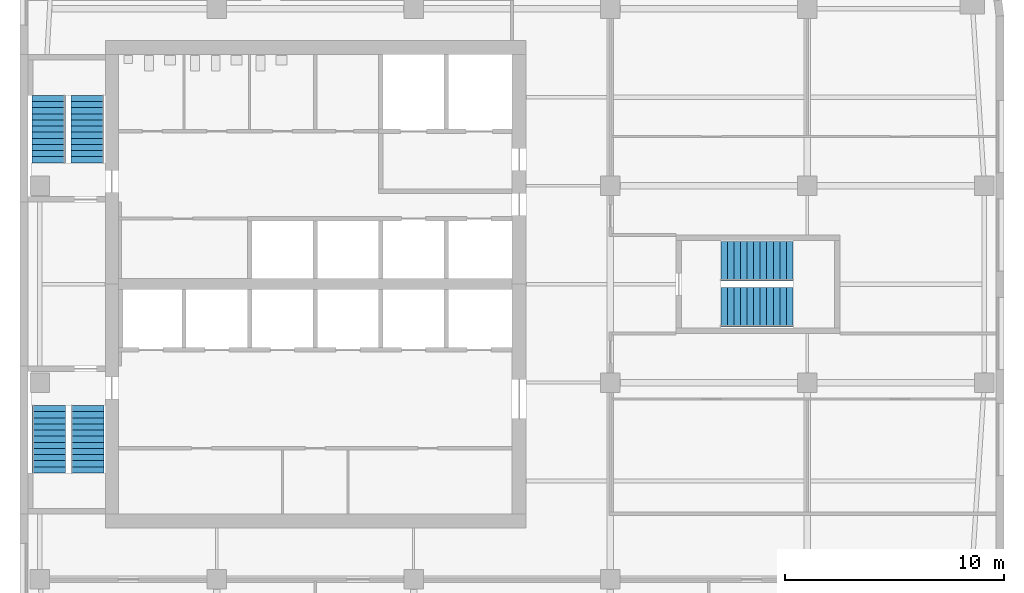
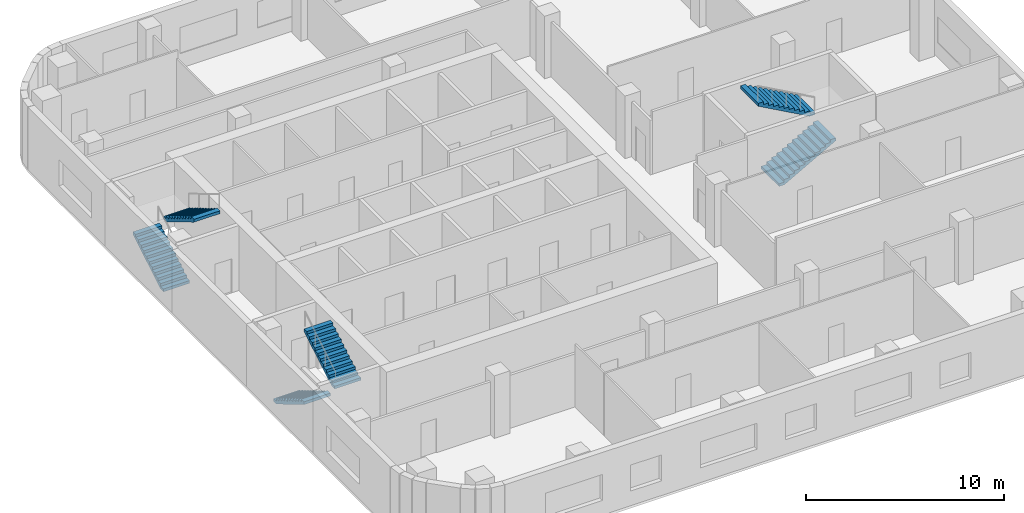
# One storey, part 6 of 8: 6 stair flights, 3 elements without a shape of their own.
"""IFC4 building model written with IfcOpenShell, lengths in metres."""

import ifcopenshell
import ifcopenshell.guid

model = None  # the IFC model being written
_history = None  # IfcOwnerHistory: only IFC2X3 demands one
_inside = {}  # id of a spatial element -> (the spatial element, [elements in it])
_under = {}  # id of a project, library or spatial element -> (it, [spatial elements below it])
_declared = {}  # id of a project -> (the project, [libraries it declares])
_typed = {}  # id of a type object -> (the type object, [elements of that type])
_made_of = {}  # id of a material, layer set ... -> (it, [elements and type objects made of it])


def new_model(schema):
    """Start an empty IFC model of exactly this schema.

    Asked for "IFC4X3", IfcOpenShell would pick the latest addendum, in which some entities
    have other attributes; the version numbers below select the first issue.
    IFC2X3 requires an IfcOwnerHistory on every rooted entity: one is made here for all.
    """
    global model, _history
    if schema == "IFC4X3":
        model = ifcopenshell.file(schema_version=(4, 3, 0, 0))
    else:
        model = ifcopenshell.file(schema=schema)
    _inside.clear()
    _under.clear()
    _declared.clear()
    _typed.clear()
    _made_of.clear()
    _history = None
    if model.schema == "IFC2X3":
        org = make("IfcOrganization", Name="unknown")
        user = make(
            "IfcPersonAndOrganization",
            ThePerson=make("IfcPerson", FamilyName="unknown"),
            TheOrganization=org,
        )
        app = make(
            "IfcApplication",
            ApplicationDeveloper=org,
            Version="unknown",
            ApplicationFullName="unknown",
            ApplicationIdentifier="unknown",
        )
        _history = make(
            "IfcOwnerHistory",
            OwningUser=user,
            OwningApplication=app,
            ChangeAction="ADDED",
            CreationDate=0,
        )
    return model


def make(cls, **values):
    """One entity of the class cls with the attributes given. An attribute that is None is left unset."""
    return model.create_entity(
        cls, **{name: value for name, value in values.items() if value is not None}
    )


def rooted(cls, **values):
    """An entity with a GlobalId (a new one), such as an element, a storey or a relation."""
    return make(cls, GlobalId=ifcopenshell.guid.new(), OwnerHistory=_history, **values)


def si_unit(unit_type, name, prefix=None):
    """IfcSIUnit, for example si_unit("LENGTHUNIT", "METRE", prefix="MILLI")."""
    return make("IfcSIUnit", UnitType=unit_type, Prefix=prefix, Name=name)


def assignment(units):
    """IfcUnitAssignment: the units of a project."""
    return None if units is None else make("IfcUnitAssignment", Units=units)


def point(xyz):
    """IfcCartesianPoint."""
    return None if xyz is None else make("IfcCartesianPoint", Coordinates=xyz)


def direction(xyz):
    """IfcDirection."""
    return None if xyz is None else make("IfcDirection", DirectionRatios=xyz)


def frame(location, z_axis=None, x_axis=None):
    """IfcAxis2Placement3D, a coordinate frame: its origin and axes. An axis left out is left unset."""
    return make(
        "IfcAxis2Placement3D",
        Location=point(location),
        Axis=direction(z_axis),
        RefDirection=direction(x_axis),
    )


def origin():
    """The frame at (0, 0, 0) with its axes left unset."""
    return frame((0.0, 0.0, 0.0))


def place(relative_to, where):
    """IfcLocalPlacement: puts the frame where relative to a parent placement (None: the world)."""
    return make(
        "IfcLocalPlacement", PlacementRelTo=relative_to, RelativePlacement=where
    )


def context(
    kind, dimensions, precision=None, world=None, true_north=None, identifier=None
):
    """IfcGeometricRepresentationContext, for example the 3D "Model" context."""
    return make(
        "IfcGeometricRepresentationContext",
        ContextIdentifier=identifier,
        ContextType=kind,
        CoordinateSpaceDimension=dimensions,
        Precision=precision,
        WorldCoordinateSystem=world,
        TrueNorth=true_north,
    )


def subcontext(parent, identifier, kind, view, scale=None):
    """IfcGeometricRepresentationSubContext, for example "Body" below "Model"."""
    return make(
        "IfcGeometricRepresentationSubContext",
        ContextIdentifier=identifier,
        ContextType=kind,
        ParentContext=parent,
        TargetScale=scale,
        TargetView=view,
    )


def project(units=None, contexts=None):
    """IfcProject with its units and contexts."""
    return rooted(
        "IfcProject",
        Name="project",
        RepresentationContexts=contexts,
        UnitsInContext=assignment(units),
    )


def spatial(cls, under=None, at=None, **own):
    """A site, building, storey or space (cls), placed at a placement, below another one or the project."""
    s = rooted(cls, ObjectPlacement=at, **own)
    if under is not None:
        _under.setdefault(under.id(), (under, []))[1].append(s)
    return s


def polyline(points):
    """IfcPolyline through the points."""
    return make("IfcPolyline", Points=[point(p) for p in points])


def outline(outer, holes=None, kind="AREA"):
    """IfcArbitraryClosedProfileDef: a profile drawn as a closed curve; with holes, ...WithVoids."""
    if holes is None:
        return make("IfcArbitraryClosedProfileDef", ProfileType=kind, OuterCurve=outer)
    return make(
        "IfcArbitraryProfileDefWithVoids",
        ProfileType=kind,
        OuterCurve=outer,
        InnerCurves=holes,
    )


def extrude(swept, where, along, depth):
    """IfcExtrudedAreaSolid: the profile swept, set in the frame where, extruded along a direction by depth."""
    return make(
        "IfcExtrudedAreaSolid",
        SweptArea=swept,
        Position=where,
        ExtrudedDirection=direction(along),
        Depth=depth,
    )


def shape(context_of_items, identifier, shape_type, items):
    """IfcShapeRepresentation: the items that make up one representation, for example the "Body"."""
    return make(
        "IfcShapeRepresentation",
        ContextOfItems=context_of_items,
        RepresentationIdentifier=identifier,
        RepresentationType=shape_type,
        Items=items,
    )


def material(Name=None, Category=None):
    """IfcMaterial."""
    return make("IfcMaterial", Name=Name, Category=Category)


def made_of(thing, what):
    """Note that an element or type object is made of a material, layer set ...; save() writes the relation."""
    if what is not None:
        _made_of.setdefault(what.id(), (what, []))[1].append(thing)
    return thing


def type_object(cls, material=None, **own):
    """A type object (cls), such as IfcWallType, which elements share."""
    return made_of(rooted(cls, **own), material)


def element(
    cls,
    number,
    at=None,
    inside=None,
    cuts=None,
    type_object=None,
    material=None,
    context=None,
    identifier="Body",
    shape_type=None,
    held_by="IfcProductDefinitionShape",
    body=None,
    shapes=None,
    **own,
):
    """One element of the class cls, such as IfcWall. Its Tag is "e" and its number.

    at: its placement. inside: the storey or other place that contains it. cuts: it is an
    opening in that element (IfcRelVoidsElement). A single representation is given by context,
    identifier, shape_type and body (its items); several are given by shapes. held_by: the class
    of the entity that holds the representations. save() writes the other relations.
    """
    e = rooted(cls, Tag="e%d" % number, ObjectPlacement=at, **own)
    if body is not None:
        shapes = [shape(context, identifier, shape_type, body)]
    if shapes is not None:
        e.Representation = make(held_by, Representations=shapes)
    if inside is not None:
        _inside.setdefault(inside.id(), (inside, []))[1].append(e)
    if cuts is not None:
        rooted(
            "IfcRelVoidsElement", RelatingBuildingElement=cuts, RelatedOpeningElement=e
        )
    if type_object is not None:
        _typed.setdefault(type_object.id(), (type_object, []))[1].append(e)
    return made_of(e, material)


def aggregate(whole, parts):
    """IfcRelAggregates: a whole, such as a stair, and the parts it consists of."""
    return rooted("IfcRelAggregates", RelatingObject=whole, RelatedObjects=parts)


def save(model, path):
    """Write the relations noted so far, then the file.

    IfcRelAggregates (storeys below a building ...), IfcRelContainedInSpatialStructure (elements
    in a storey), IfcRelDefinesByType, IfcRelAssociatesMaterial and IfcRelDeclares: one each for
    every whole, place, type object, material and project.
    """
    for whole, parts in _under.values():
        aggregate(whole, parts)
    for where, things in _inside.values():
        rooted(
            "IfcRelContainedInSpatialStructure",
            RelatedElements=things,
            RelatingStructure=where,
        )
    for kind, things in _typed.values():
        rooted("IfcRelDefinesByType", RelatedObjects=things, RelatingType=kind)
    for what, things in _made_of.values():
        rooted("IfcRelAssociatesMaterial", RelatedObjects=things, RelatingMaterial=what)
    for by, libraries in _declared.values():
        rooted("IfcRelDeclares", RelatingContext=by, RelatedDefinitions=libraries)
    model.write(path)


model = new_model("IFC4")

# Units and contexts
model_context = context("Model", 3, precision=1e-05, world=origin(), true_north=direction((0.0, 1.0)))
body_context = subcontext(model_context, "Body", "Model", "MODEL_VIEW")
ifc_project = project(units=[si_unit("LENGTHUNIT", "METRE"), si_unit("AREAUNIT", "SQUARE_METRE"), si_unit("VOLUMEUNIT", "CUBIC_METRE"), si_unit("PLANEANGLEUNIT", "RADIAN"), si_unit("MASSUNIT", "GRAM", prefix="KILO")], contexts=[model_context])

# Site, building, storey
site_placement = place(None, origin())
site = spatial("IfcSite", under=ifc_project, at=site_placement, CompositionType="ELEMENT")
building_placement = place(site_placement, origin())
building = spatial("IfcBuilding", under=site, at=building_placement, Name="Cinnabar Reach Civic Tower", CompositionType="ELEMENT")
storey_placement = place(building_placement, frame((0.0, 0.0, 161.0)))
storey = spatial("IfcBuildingStorey", under=building, at=storey_placement, Name="L38", CompositionType="ELEMENT", Elevation=161.0)

# Stair, stair flights
ifc_material = material(Name="Concrete C40/50", Category="concrete")
stair_type = type_object("IfcStairType", Name="T1 Exit stair, half-turn", PredefinedType="HALF_TURN_STAIR", material=ifc_material)
stair_1_placement = place(storey_placement, origin())
stair_1 = element("IfcStair", 1, at=stair_1_placement, inside=storey, type_object=stair_type, Name="Stair T1-S1", PredefinedType="HALF_TURN_STAIR")
stair_flight_type = type_object("IfcStairFlightType", Name="T1 Stair flight, concrete", PredefinedType="STRAIGHT", material=ifc_material)
stair_flight_1_placement = place(storey_placement, frame((1.3125, 25.95, 0.0), z_axis=(0.0, 0.0, 1.0), x_axis=(0.0, -1.0, 0.0)))
stair_flight_1 = element("IfcStairFlight", 2, at=stair_flight_1_placement, type_object=stair_flight_type, Name="T1-S1 flight 1", NumberOfRisers=12, NumberOfTreads=11, PredefinedType="STRAIGHT", RiserHeight=0.166666667, TreadLength=0.28, context=body_context, shape_type="SweptSolid", body=[
    extrude(outline(polyline([(0.0, 0.0), (0.0, 0.1667), (0.28, 0.1667), (0.28, 0.3333), (0.56, 0.3333), (0.56, 0.5), (0.84, 0.5), (0.84, 0.6667), (1.12, 0.6667), (1.12, 0.8333), (1.4, 0.8333), (1.4, 1.0), (1.68, 1.0), (1.68, 1.1667), (1.96, 1.1667), (1.96, 1.3333), (2.24, 1.3333), (2.24, 1.5), (2.52, 1.5), (2.52, 1.6667), (2.8, 1.6667), (2.8, 1.8333), (3.08, 1.8333), (3.08, 2.0), (3.08, 1.6588), (0.2933, 0.0), (0.0, 0.0)])), frame((0.0, 0.7625, 0.0), z_axis=(0.0, -1.0, 0.0), x_axis=(1.0, 0.0, 0.0)), (0.0, 0.0, 1.0), 1.525),
])
stair_flight_2_placement = place(storey_placement, frame((3.0875, 22.87, 2.0), z_axis=(0.0, 0.0, 1.0), x_axis=(0.0, 1.0, 0.0)))
stair_flight_2 = element("IfcStairFlight", 3, at=stair_flight_2_placement, type_object=stair_flight_type, Name="T1-S1 flight 2", NumberOfRisers=12, NumberOfTreads=11, PredefinedType="STRAIGHT", RiserHeight=0.166666667, TreadLength=0.28, context=body_context, shape_type="SweptSolid", body=[
    extrude(outline(polyline([(0.0, 0.0), (0.0, 0.1667), (0.28, 0.1667), (0.28, 0.3333), (0.56, 0.3333), (0.56, 0.5), (0.84, 0.5), (0.84, 0.6667), (1.12, 0.6667), (1.12, 0.8333), (1.4, 0.8333), (1.4, 1.0), (1.68, 1.0), (1.68, 1.1667), (1.96, 1.1667), (1.96, 1.3333), (2.24, 1.3333), (2.24, 1.5), (2.52, 1.5), (2.52, 1.6667), (2.8, 1.6667), (2.8, 1.8333), (3.08, 1.8333), (3.08, 2.0), (3.08, 1.6588), (0.2933, 0.0), (0.0, 0.0)])), frame((0.0, 0.7625, 0.0), z_axis=(0.0, -1.0, 0.0), x_axis=(1.0, 0.0, 0.0)), (0.0, 0.0, 1.0), 1.525),
])
aggregate(stair_1, [stair_flight_1, stair_flight_2])

stair_2_placement = place(storey_placement, origin())
stair_2 = element("IfcStair", 4, at=stair_2_placement, inside=storey, type_object=stair_type, Name="Stair T1-S2", PredefinedType="HALF_TURN_STAIR")
stair_flight_3_placement = place(storey_placement, frame((1.3125, 37.05, 0.0), z_axis=(0.0, 0.0, 1.0), x_axis=(0.0, 1.0, 0.0)))
stair_flight_3 = element("IfcStairFlight", 5, at=stair_flight_3_placement, type_object=stair_flight_type, Name="T1-S2 flight 1", NumberOfRisers=12, NumberOfTreads=11, PredefinedType="STRAIGHT", RiserHeight=0.166666667, TreadLength=0.28, context=body_context, shape_type="SweptSolid", body=[
    extrude(outline(polyline([(0.0, 0.0), (0.0, 0.1667), (0.28, 0.1667), (0.28, 0.3333), (0.56, 0.3333), (0.56, 0.5), (0.84, 0.5), (0.84, 0.6667), (1.12, 0.6667), (1.12, 0.8333), (1.4, 0.8333), (1.4, 1.0), (1.68, 1.0), (1.68, 1.1667), (1.96, 1.1667), (1.96, 1.3333), (2.24, 1.3333), (2.24, 1.5), (2.52, 1.5), (2.52, 1.6667), (2.8, 1.6667), (2.8, 1.8333), (3.08, 1.8333), (3.08, 2.0), (3.08, 1.6588), (0.2933, 0.0), (0.0, 0.0)])), frame((0.0, 0.7625, 0.0), z_axis=(0.0, -1.0, 0.0), x_axis=(1.0, 0.0, 0.0)), (0.0, 0.0, 1.0), 1.525),
])
stair_flight_4_placement = place(storey_placement, frame((3.0875, 40.13, 2.0), z_axis=(0.0, 0.0, 1.0), x_axis=(0.0, -1.0, 0.0)))
stair_flight_4 = element("IfcStairFlight", 6, at=stair_flight_4_placement, type_object=stair_flight_type, Name="T1-S2 flight 2", NumberOfRisers=12, NumberOfTreads=11, PredefinedType="STRAIGHT", RiserHeight=0.166666667, TreadLength=0.28, context=body_context, shape_type="SweptSolid", body=[
    extrude(outline(polyline([(0.0, 0.0), (0.0, 0.1667), (0.28, 0.1667), (0.28, 0.3333), (0.56, 0.3333), (0.56, 0.5), (0.84, 0.5), (0.84, 0.6667), (1.12, 0.6667), (1.12, 0.8333), (1.4, 0.8333), (1.4, 1.0), (1.68, 1.0), (1.68, 1.1667), (1.96, 1.1667), (1.96, 1.3333), (2.24, 1.3333), (2.24, 1.5), (2.52, 1.5), (2.52, 1.6667), (2.8, 1.6667), (2.8, 1.8333), (3.08, 1.8333), (3.08, 2.0), (3.08, 1.6588), (0.2933, 0.0), (0.0, 0.0)])), frame((0.0, 0.7625, 0.0), z_axis=(0.0, -1.0, 0.0), x_axis=(1.0, 0.0, 0.0)), (0.0, 0.0, 1.0), 1.525),
])
aggregate(stair_2, [stair_flight_3, stair_flight_4])

stair_3_placement = place(storey_placement, origin())
stair_3 = element("IfcStair", 7, at=stair_3_placement, inside=storey, type_object=stair_type, Name="Stair T1-S3", PredefinedType="HALF_TURN_STAIR")
stair_flight_5_placement = place(storey_placement, frame((32.05, 30.45, 0.0), z_axis=(0.0, 0.0, 1.0), x_axis=(1.0, 0.0, 0.0)))
stair_flight_5 = element("IfcStairFlight", 8, at=stair_flight_5_placement, type_object=stair_flight_type, Name="T1-S3 flight 1", NumberOfRisers=12, NumberOfTreads=11, PredefinedType="STRAIGHT", RiserHeight=0.166666667, TreadLength=0.3, context=body_context, shape_type="SweptSolid", body=[
    extrude(outline(polyline([(0.0, 0.0), (0.0, 0.1667), (0.3, 0.1667), (0.3, 0.3333), (0.6, 0.3333), (0.6, 0.5), (0.9, 0.5), (0.9, 0.6667), (1.2, 0.6667), (1.2, 0.8333), (1.5, 0.8333), (1.5, 1.0), (1.8, 1.0), (1.8, 1.1667), (2.1, 1.1667), (2.1, 1.3333), (2.4, 1.3333), (2.4, 1.5), (2.7, 1.5), (2.7, 1.6667), (3.0, 1.6667), (3.0, 1.8333), (3.3, 1.8333), (3.3, 2.0), (3.3, 1.6617), (0.3089, 0.0), (0.0, 0.0)])), frame((0.0, 0.9, 0.0), z_axis=(0.0, -1.0, 0.0), x_axis=(1.0, 0.0, 0.0)), (0.0, 0.0, 1.0), 1.8),
])
stair_flight_6_placement = place(storey_placement, frame((35.35, 32.55, 2.0), z_axis=(0.0, 0.0, 1.0), x_axis=(-1.0, 0.0, 0.0)))
stair_flight_6 = element("IfcStairFlight", 9, at=stair_flight_6_placement, type_object=stair_flight_type, Name="T1-S3 flight 2", NumberOfRisers=12, NumberOfTreads=11, PredefinedType="STRAIGHT", RiserHeight=0.166666667, TreadLength=0.3, context=body_context, shape_type="SweptSolid", body=[
    extrude(outline(polyline([(0.0, 0.0), (0.0, 0.1667), (0.3, 0.1667), (0.3, 0.3333), (0.6, 0.3333), (0.6, 0.5), (0.9, 0.5), (0.9, 0.6667), (1.2, 0.6667), (1.2, 0.8333), (1.5, 0.8333), (1.5, 1.0), (1.8, 1.0), (1.8, 1.1667), (2.1, 1.1667), (2.1, 1.3333), (2.4, 1.3333), (2.4, 1.5), (2.7, 1.5), (2.7, 1.6667), (3.0, 1.6667), (3.0, 1.8333), (3.3, 1.8333), (3.3, 2.0), (3.3, 1.6617), (0.3089, 0.0), (0.0, 0.0)])), frame((0.0, 0.9, 0.0), z_axis=(0.0, -1.0, 0.0), x_axis=(1.0, 0.0, 0.0)), (0.0, 0.0, 1.0), 1.8),
])
aggregate(stair_3, [stair_flight_5, stair_flight_6])

save(model, "model.ifc")
